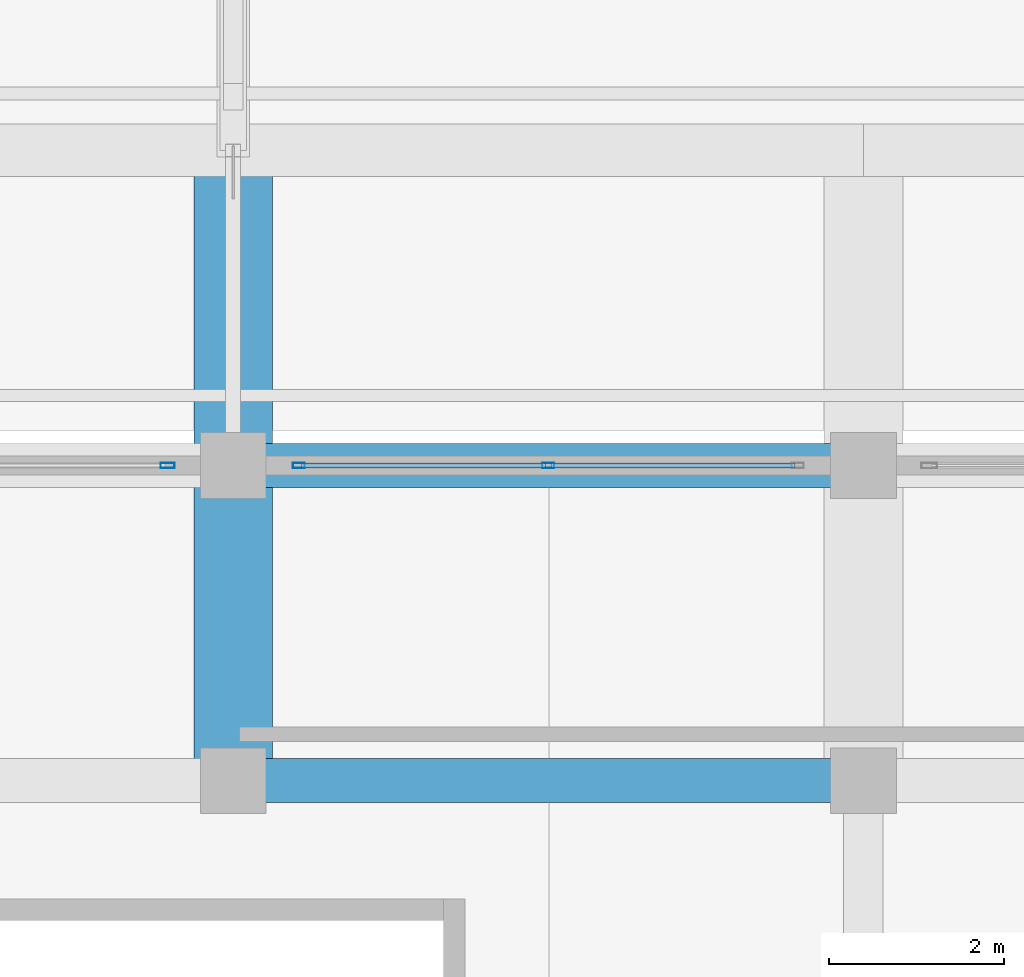
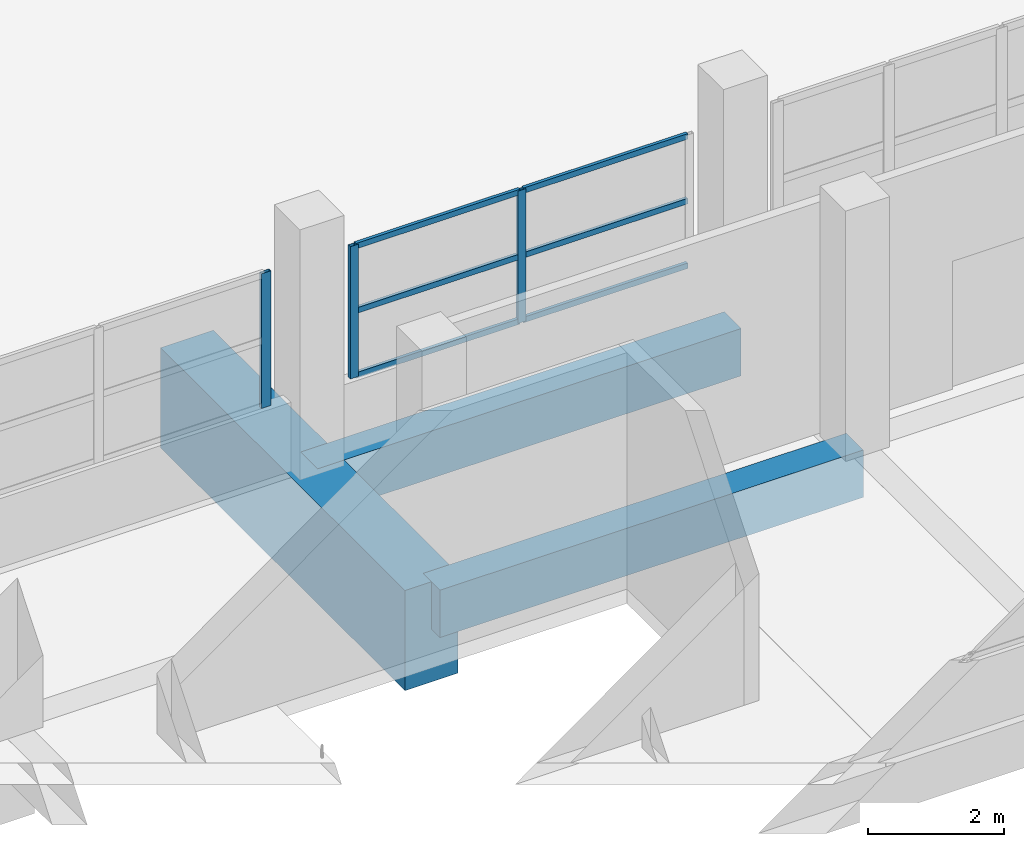
# One storey, part 76 of 141: 9 members, 3 beams, 2 elements without a shape of their own.
"""IFC4 building model written with IfcOpenShell, lengths in metres."""

from ifc_helpers import new_model, si_unit, direction, frame, origin, origin_2d, place, context, subcontext, project, spatial, rectangle, hollow_rectangle, extrude, material, layer, layer_set, material_profile, profile_set, type_object, element, aggregate, save


model = new_model("IFC4")

# Units and contexts
model_context = context("Model", 3, precision=1e-05, world=origin(), true_north=direction((0.0, 1.0)))
body_context = subcontext(model_context, "Body", "Model", "MODEL_VIEW")
ifc_project = project(units=[si_unit("LENGTHUNIT", "METRE"), si_unit("AREAUNIT", "SQUARE_METRE"), si_unit("VOLUMEUNIT", "CUBIC_METRE"), si_unit("PLANEANGLEUNIT", "RADIAN"), si_unit("MASSUNIT", "GRAM", prefix="KILO")], contexts=[model_context])

# Site, building, storey
site_placement = place(None, origin())
site = spatial("IfcSite", under=ifc_project, at=site_placement, CompositionType="ELEMENT")
building_placement = place(site_placement, origin())
building = spatial("IfcBuilding", under=site, at=building_placement, Name="Seraya Terrace Polytechnic", CompositionType="ELEMENT")
storey_placement = place(building_placement, frame((0.0, 0.0, 14.39990234375)))
storey = spatial("IfcBuildingStorey", under=building, at=storey_placement, Name="L03", CompositionType="ELEMENT", Elevation=14.39990234375)

# Beams
ifc_material_1 = material(Name="Concrete C40/50", Category="concrete")
ifc_material_profile_1 = material_profile(ifc_material_1, rectangle(XDim=0.5, YDim=0.85009765625, at=origin_2d()), Name="RC 500x850")
ifc_profile_set_1 = profile_set([ifc_material_profile_1], Name="Concrete C40/50")
beam_type_1 = type_object("IfcBeamType", Name="BM-05", PredefinedType="BEAM", material=ifc_profile_set_1)
for number, where, z_axis, x_axis, name in (
    (1, (57.60009765625, 72.0, -0.4248046875), (1.0, 0.0, 0.0), (0.0, 1.0, 0.0), "Beam BM-05 L03 X (57.6..64.8, 72.0)"),
    (2, (57.60009765625, 75.60009765625, -0.4248046875), (1.0, 0.0, 0.0), (0.0, 1.0, 0.0), "Beam BM-05 L03 X (57.6..64.8, 75.6)"),
):
    element("IfcBeam", number, at=place(storey_placement, frame(where, z_axis=z_axis, x_axis=x_axis)), inside=storey, type_object=beam_type_1, Name=name, PredefinedType="BEAM", context=body_context, shape_type="SweptSolid", body=[
        extrude(rectangle(XDim=0.5, YDim=0.85009765625, at=origin_2d()), origin(), (0.0, 0.0, 1.0), 7.199951171875),
    ])

# Curtain wall, member
ifc_material_2 = material(Name="Anodised aluminium EN AW-6063 T6", Category="aluminium")
ifc_layer_1 = layer(ifc_material_2, 0.179931640625, Name="CW-11")
ifc_layer_set_1 = layer_set([ifc_layer_1], Name="Anodised aluminium EN AW-6063 T6")
curtain_wall_type_1 = type_object("IfcCurtainWallType", Name="CW-11", PredefinedType="NOTDEFINED", material=ifc_layer_set_1)
curtain_wall_1_placement = place(storey_placement, origin())
curtain_wall_1 = element("IfcCurtainWall", 3, at=curtain_wall_1_placement, inside=storey, type_object=curtain_wall_type_1, Name="Unitised curtain wall CW-11 (CW-L03-119)", PredefinedType="NOTDEFINED")
ifc_material_profile_2 = material_profile(ifc_material_2, hollow_rectangle(XDim=0.06005859375, YDim=0.159912109375, WallThickness=0.00341796875, at=origin_2d()), Name="RHS 160x60x3.5")
ifc_profile_set_2 = profile_set([ifc_material_profile_2], Name="Anodised aluminium EN AW-6063 T6")
member_type_1 = type_object("IfcMemberType", Name="CWM-02", PredefinedType="MULLION", material=ifc_profile_set_2)
member_1_placement = place(storey_placement, frame((56.85009765625, 75.60009765625, 1.239990234375), z_axis=(0.0, 0.0, 1.0), x_axis=(0.0, 1.0, 0.0)))
member_1 = element("IfcMember", 4, at=member_1_placement, type_object=member_type_1, Name="CW-11 mullion 3", PredefinedType="MULLION", context=body_context, shape_type="SweptSolid", body=[
    extrude(hollow_rectangle(XDim=0.06005859375, YDim=0.159912109375, WallThickness=0.00341796875, at=origin_2d()), origin(), (0.0, 0.0, 1.0), 2.420166015625),
])
aggregate(curtain_wall_1, [member_1])

# Curtain wall, members
ifc_layer_2 = layer(ifc_material_2, 0.179931640625, Name="CW-12")
ifc_layer_set_2 = layer_set([ifc_layer_2], Name="Anodised aluminium EN AW-6063 T6")
curtain_wall_type_2 = type_object("IfcCurtainWallType", Name="CW-12", PredefinedType="NOTDEFINED", material=ifc_layer_set_2)
curtain_wall_2_placement = place(storey_placement, origin())
curtain_wall_2 = element("IfcCurtainWall", 5, at=curtain_wall_2_placement, inside=storey, type_object=curtain_wall_type_2, Name="Unitised curtain wall CW-12 (CW-L03-120)", PredefinedType="NOTDEFINED")
ifc_material_profile_3 = material_profile(ifc_material_2, hollow_rectangle(XDim=0.06005859375, YDim=0.139892578125, WallThickness=0.00341796875, at=origin_2d()), Name="RHS 140x60x3.5")
ifc_profile_set_3 = profile_set([ifc_material_profile_3], Name="Anodised aluminium EN AW-6063 T6")
member_type_2 = type_object("IfcMemberType", Name="CWM-03", PredefinedType="MULLION", material=ifc_profile_set_3)
member_2_placement = place(storey_placement, frame((58.35009765625, 75.60009765625, 1.239990234375), z_axis=(0.0, 0.0, 1.0), x_axis=(0.0, 1.0, 0.0)))
member_2 = element("IfcMember", 6, at=member_2_placement, type_object=member_type_2, Name="CW-12 mullion 1", PredefinedType="MULLION", context=body_context, shape_type="SweptSolid", body=[
    extrude(hollow_rectangle(XDim=0.06005859375, YDim=0.139892578125, WallThickness=0.00341796875, at=origin_2d()), origin(), (0.0, 0.0, 1.0), 2.380126953125),
])
member_3_placement = place(storey_placement, frame((61.199951171875, 75.60009765625, 1.239990234375), z_axis=(0.0, 0.0, 1.0), x_axis=(0.0, 1.0, 0.0)))
member_3 = element("IfcMember", 7, at=member_3_placement, type_object=member_type_2, Name="CW-12 mullion 2", PredefinedType="MULLION", context=body_context, shape_type="SweptSolid", body=[
    extrude(hollow_rectangle(XDim=0.06005859375, YDim=0.139892578125, WallThickness=0.00341796875, at=origin_2d()), origin(), (0.0, 0.0, 1.0), 2.380126953125),
])
ifc_material_profile_4 = material_profile(ifc_material_2, hollow_rectangle(XDim=0.054931640625, YDim=0.10009765625, WallThickness=0.0029296875, at=origin_2d()), Name="RHS 100x55x3.0")
ifc_profile_set_4 = profile_set([ifc_material_profile_4], Name="Anodised aluminium EN AW-6063 T6")
member_type_3 = type_object("IfcMemberType", Name="CWT-03", PredefinedType="USERDEFINED", material=ifc_profile_set_4)
member_4_placement = place(storey_placement, frame((58.3798828125, 75.60009765625, 1.267578125), z_axis=(1.0, 0.0, 0.0), x_axis=(0.0, 1.0, 0.0)))
member_4 = element("IfcMember", 8, at=member_4_placement, type_object=member_type_3, Name="CW-12 transom 1.1", ObjectType="TRANSOM", PredefinedType="USERDEFINED", context=body_context, shape_type="SweptSolid", body=[
    extrude(hollow_rectangle(XDim=0.054931640625, YDim=0.10009765625, WallThickness=0.0029296875, at=origin_2d()), origin(), (0.0, 0.0, 1.0), 2.7900390625),
])
member_5_placement = place(storey_placement, frame((58.3798828125, 75.60009765625, 2.43017578125), z_axis=(1.0, 0.0, 0.0), x_axis=(0.0, 1.0, 0.0)))
member_5 = element("IfcMember", 9, at=member_5_placement, type_object=member_type_3, Name="CW-12 transom 1.2", ObjectType="TRANSOM", PredefinedType="USERDEFINED", context=body_context, shape_type="SweptSolid", body=[
    extrude(hollow_rectangle(XDim=0.054931640625, YDim=0.10009765625, WallThickness=0.0029296875, at=origin_2d()), origin(), (0.0, 0.0, 1.0), 2.7900390625),
])
member_6_placement = place(storey_placement, frame((58.3798828125, 75.60009765625, 3.592529296875), z_axis=(1.0, 0.0, 0.0), x_axis=(0.0, 1.0, 0.0)))
member_6 = element("IfcMember", 10, at=member_6_placement, type_object=member_type_3, Name="CW-12 transom 1.3", ObjectType="TRANSOM", PredefinedType="USERDEFINED", context=body_context, shape_type="SweptSolid", body=[
    extrude(hollow_rectangle(XDim=0.054931640625, YDim=0.10009765625, WallThickness=0.0029296875, at=origin_2d()), origin(), (0.0, 0.0, 1.0), 2.7900390625),
])
member_7_placement = place(storey_placement, frame((61.22998046875, 75.60009765625, 1.267578125), z_axis=(1.0, 0.0, 0.0), x_axis=(0.0, 1.0, 0.0)))
member_7 = element("IfcMember", 11, at=member_7_placement, type_object=member_type_3, Name="CW-12 transom 2.1", ObjectType="TRANSOM", PredefinedType="USERDEFINED", context=body_context, shape_type="SweptSolid", body=[
    extrude(hollow_rectangle(XDim=0.054931640625, YDim=0.10009765625, WallThickness=0.0029296875, at=origin_2d()), origin(), (0.0, 0.0, 1.0), 2.7900390625),
])
member_8_placement = place(storey_placement, frame((61.22998046875, 75.60009765625, 2.43017578125), z_axis=(1.0, 0.0, 0.0), x_axis=(0.0, 1.0, 0.0)))
member_8 = element("IfcMember", 12, at=member_8_placement, type_object=member_type_3, Name="CW-12 transom 2.2", ObjectType="TRANSOM", PredefinedType="USERDEFINED", context=body_context, shape_type="SweptSolid", body=[
    extrude(hollow_rectangle(XDim=0.054931640625, YDim=0.10009765625, WallThickness=0.0029296875, at=origin_2d()), origin(), (0.0, 0.0, 1.0), 2.7900390625),
])
member_9_placement = place(storey_placement, frame((61.22998046875, 75.60009765625, 3.592529296875), z_axis=(1.0, 0.0, 0.0), x_axis=(0.0, 1.0, 0.0)))
member_9 = element("IfcMember", 13, at=member_9_placement, type_object=member_type_3, Name="CW-12 transom 2.3", ObjectType="TRANSOM", PredefinedType="USERDEFINED", context=body_context, shape_type="SweptSolid", body=[
    extrude(hollow_rectangle(XDim=0.054931640625, YDim=0.10009765625, WallThickness=0.0029296875, at=origin_2d()), origin(), (0.0, 0.0, 1.0), 2.7900390625),
])
aggregate(curtain_wall_2, [member_2, member_3, member_4, member_5, member_6, member_7, member_8, member_9])

# Beam
ifc_material_profile_5 = material_profile(ifc_material_1, rectangle(XDim=0.89990234375, YDim=1.800048828125, at=origin_2d()), Name="RC 900x1800")
ifc_profile_set_5 = profile_set([ifc_material_profile_5], Name="Concrete C40/50")
beam_type_2 = type_object("IfcBeamType", Name="TG-01", PredefinedType="USERDEFINED", material=ifc_profile_set_5)
beam_placement = place(storey_placement, frame((57.60009765625, 72.0, -0.89990234375), z_axis=(0.0, 1.0, 0.0), x_axis=(-1.0, 0.0, 0.0)))
element("IfcBeam", 14, at=beam_placement, inside=storey, type_object=beam_type_2, Name="Transfer girder TG-01 L03 #14", ObjectType="GIRDER", PredefinedType="USERDEFINED", context=body_context, shape_type="SweptSolid", body=[
    extrude(rectangle(XDim=0.89990234375, YDim=1.800048828125, at=origin_2d()), origin(), (0.0, 0.0, 1.0), 7.199951171875),
])

save(model, "model.ifc")
